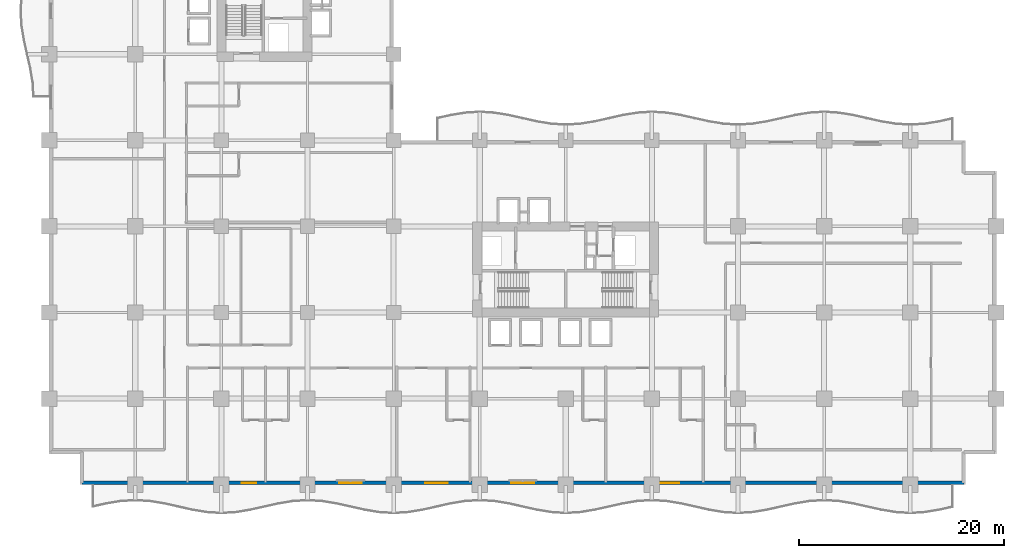
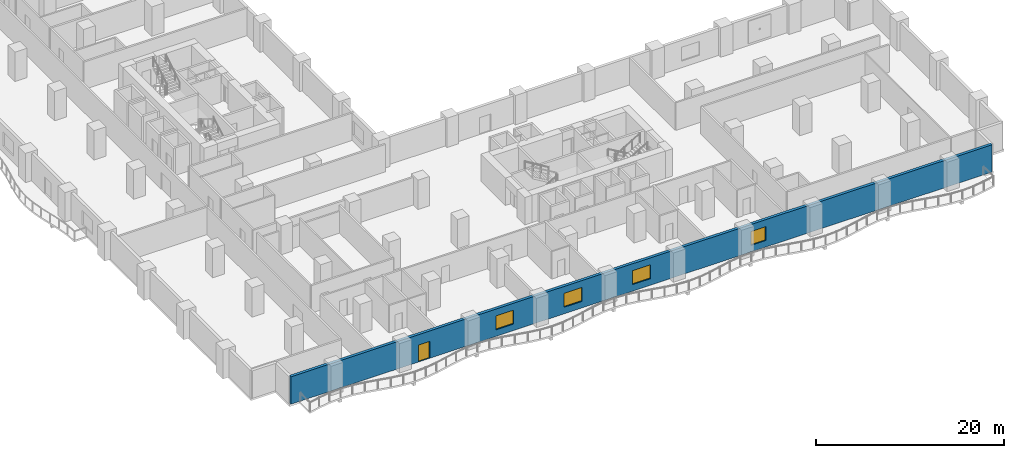
# One storey, part 8 of 22: 4 windows, 1 door, 1 wall, 5 openings.
"""IFC4 building model written with IfcOpenShell, lengths in metres."""

from ifc_helpers import new_model, si_unit, direction, frame, frame_2d, origin, place, context, subcontext, project, spatial, rectangle, extrude, material, layer, layer_set, type_object, element, fill, save


model = new_model("IFC4")

# Units and contexts
model_context = context("Model", 3, precision=1e-05, world=origin(), true_north=direction((0.0, 1.0)))
body_context = subcontext(model_context, "Body", "Model", "MODEL_VIEW")
ifc_project = project(units=[si_unit("LENGTHUNIT", "METRE"), si_unit("AREAUNIT", "SQUARE_METRE"), si_unit("VOLUMEUNIT", "CUBIC_METRE"), si_unit("PLANEANGLEUNIT", "RADIAN"), si_unit("MASSUNIT", "GRAM", prefix="KILO")], contexts=[model_context])

# Site, building, storey
site_placement = place(None, origin())
site = spatial("IfcSite", under=ifc_project, at=site_placement, CompositionType="ELEMENT")
building_placement = place(site_placement, origin())
building = spatial("IfcBuilding", under=site, at=building_placement, Name="Koriwani Terraces Tower", CompositionType="ELEMENT")
storey_placement = place(building_placement, frame((0.0, 0.0, 62.39990234375)))
storey = spatial("IfcBuildingStorey", under=building, at=storey_placement, Name="L14", CompositionType="ELEMENT", Elevation=62.39990234375)

# Wall, openings, door, windows
ifc_material_1 = material(Name="Concrete C50/60", Category="concrete")
ifc_layer = layer(ifc_material_1, 0.35009765625, Name="Concrete C50/60")
ifc_layer_set = layer_set([ifc_layer], Name="Concrete C50/60")
wall_type = type_object("IfcWallType", Name="WALL_EXT_BRUTALIST_350", PredefinedType="STANDARD", material=ifc_layer_set)
wall_placement = place(storey_placement, frame((89.22509765625, 0.175048828125, 0.0), z_axis=(0.0, 0.0, 1.0), x_axis=(-1.0, 0.0, 0.0)))
wall = element("IfcWall", 1, at=wall_placement, inside=storey, type_object=wall_type, Name="L14 Fair-Faced Brutalist Exterior Wall (S)", PredefinedType="STANDARD", context=body_context, shape_type="SweptSolid", body=[
    extrude(rectangle(XDim=86.050048828125, YDim=0.35009765625, at=frame_2d((43.02490234375, 0.0))), origin(), (0.0, 0.0, 1.0), 3.550048828125),
])
opening_1_placement = place(wall_placement, frame((69.02490234375, 0.0, 0.0)))
opening_1 = element("IfcOpeningElement", 2, at=opening_1_placement, cuts=wall, Name="Opening D-09", PredefinedType="OPENING", context=body_context, shape_type="SweptSolid", body=[
    extrude(rectangle(XDim=1.39990234375, YDim=2.199951171875, at=frame_2d((0.699951171875, 1.10009765625))), frame((0.0, 0.18505859375, 0.0), z_axis=(0.0, -1.0, 0.0), x_axis=(1.0, 0.0, 0.0)), (0.0, 0.0, 1.0), 0.3701171875),
])
opening_2_placement = place(wall_placement, frame((58.72509765625, 0.0, 0.85009765625)))
opening_2 = element("IfcOpeningElement", 3, at=opening_2_placement, cuts=wall, Name="Opening W-01", PredefinedType="OPENING", context=body_context, shape_type="SweptSolid", body=[
    extrude(rectangle(XDim=2.199951171875, YDim=1.800048828125, at=frame_2d((1.10009765625, 0.89990234375))), frame((0.0, 0.18505859375, 0.0), z_axis=(0.0, -1.0, 0.0), x_axis=(1.0, 0.0, 0.0)), (0.0, 0.0, 1.0), 0.3701171875),
])
opening_3_placement = place(wall_placement, frame((50.324951171875, 0.0, 0.85009765625)))
opening_3 = element("IfcOpeningElement", 4, at=opening_3_placement, cuts=wall, Name="Opening W-01", PredefinedType="OPENING", context=body_context, shape_type="SweptSolid", body=[
    extrude(rectangle(XDim=2.199951171875, YDim=1.800048828125, at=frame_2d((1.10009765625, 0.89990234375))), frame((0.0, 0.18505859375, 0.0), z_axis=(0.0, -1.0, 0.0), x_axis=(1.0, 0.0, 0.0)), (0.0, 0.0, 1.0), 0.3701171875),
])
opening_4_placement = place(wall_placement, frame((41.925048828125, 0.0, 0.85009765625)))
opening_4 = element("IfcOpeningElement", 5, at=opening_4_placement, cuts=wall, Name="Opening W-01", PredefinedType="OPENING", context=body_context, shape_type="SweptSolid", body=[
    extrude(rectangle(XDim=2.199951171875, YDim=1.800048828125, at=frame_2d((1.10009765625, 0.89990234375))), frame((0.0, 0.18505859375, 0.0), z_axis=(0.0, -1.0, 0.0), x_axis=(1.0, 0.0, 0.0)), (0.0, 0.0, 1.0), 0.3701171875),
])
opening_5_placement = place(wall_placement, frame((27.77490234375, 0.0, 0.85009765625)))
opening_5 = element("IfcOpeningElement", 6, at=opening_5_placement, cuts=wall, Name="Opening W-04", PredefinedType="OPENING", context=body_context, shape_type="SweptSolid", body=[
    extrude(rectangle(XDim=1.800048828125, YDim=1.800048828125, at=frame_2d((0.89990234375, 0.89990234375))), frame((0.0, 0.18505859375, 0.0), z_axis=(0.0, -1.0, 0.0), x_axis=(1.0, 0.0, 0.0)), (0.0, 0.0, 1.0), 0.3701171875),
])
ifc_material_2 = material(Name="Anodised Bronze Aluminium", Category="aluminium")
door_type = type_object("IfcDoorType", Name="DOOR_BALCONY_GLAZED_1400X2200", OperationType="NOTDEFINED", PredefinedType="DOOR", material=ifc_material_2)
door_placement = place(opening_1_placement, origin())
door = element("IfcDoor", 7, at=door_placement, inside=storey, type_object=door_type, Name="L14 South Balcony Glazed Door", OperationType="SINGLE_SWING_LEFT", OverallHeight=2.199951171875, OverallWidth=1.39990234375, PredefinedType="DOOR", context=body_context, shape_type="SweptSolid", body=[
    extrude(rectangle(XDim=1.39990234375, YDim=2.199951171875, at=frame_2d((0.699951171875, 1.10009765625))), frame((0.0, 0.02490234375, 0.0), z_axis=(0.0, -1.0, 0.0), x_axis=(1.0, 0.0, 0.0)), (0.0, 0.0, 1.0), 0.050048828125),
])
fill(opening_1, door)
ifc_material_3 = material(Name="Tempered Laminated Low-E Glass", Category="glass")
window_type_1 = type_object("IfcWindowType", Name="WIN_HOTEL_STD_2200X1800", PartitioningType="DOUBLE_PANEL_VERTICAL", PredefinedType="WINDOW", material=ifc_material_3)
window_1_placement = place(opening_2_placement, origin())
window_1 = element("IfcWindow", 8, at=window_1_placement, inside=storey, type_object=window_type_1, Name="L14 Exterior Window (S-9)", OverallHeight=1.800048828125, OverallWidth=2.199951171875, PartitioningType="SINGLE_PANEL", PredefinedType="WINDOW", context=body_context, shape_type="SweptSolid", body=[
    extrude(rectangle(XDim=2.199951171875, YDim=1.800048828125, at=frame_2d((1.10009765625, 0.89990234375))), frame((0.0, 0.030029296875, 0.0), z_axis=(0.0, -1.0, 0.0), x_axis=(1.0, 0.0, 0.0)), (0.0, 0.0, 1.0), 0.06005859375),
])
fill(opening_2, window_1)
window_2_placement = place(opening_3_placement, origin())
window_2 = element("IfcWindow", 9, at=window_2_placement, inside=storey, type_object=window_type_1, Name="L14 Exterior Window (S-12)", OverallHeight=1.800048828125, OverallWidth=2.199951171875, PartitioningType="SINGLE_PANEL", PredefinedType="WINDOW", context=body_context, shape_type="SweptSolid", body=[
    extrude(rectangle(XDim=2.199951171875, YDim=1.800048828125, at=frame_2d((1.10009765625, 0.89990234375))), frame((0.0, 0.030029296875, 0.0), z_axis=(0.0, -1.0, 0.0), x_axis=(1.0, 0.0, 0.0)), (0.0, 0.0, 1.0), 0.06005859375),
])
fill(opening_3, window_2)
window_3_placement = place(opening_4_placement, origin())
window_3 = element("IfcWindow", 10, at=window_3_placement, inside=storey, type_object=window_type_1, Name="L14 Exterior Window (S-15)", OverallHeight=1.800048828125, OverallWidth=2.199951171875, PartitioningType="SINGLE_PANEL", PredefinedType="WINDOW", context=body_context, shape_type="SweptSolid", body=[
    extrude(rectangle(XDim=2.199951171875, YDim=1.800048828125, at=frame_2d((1.10009765625, 0.89990234375))), frame((0.0, 0.030029296875, 0.0), z_axis=(0.0, -1.0, 0.0), x_axis=(1.0, 0.0, 0.0)), (0.0, 0.0, 1.0), 0.06005859375),
])
fill(opening_4, window_3)
window_type_2 = type_object("IfcWindowType", Name="WIN_RES_BED_1800X1800", PartitioningType="DOUBLE_PANEL_VERTICAL", PredefinedType="WINDOW", material=ifc_material_3)
window_4_placement = place(opening_5_placement, origin())
window_4 = element("IfcWindow", 11, at=window_4_placement, inside=storey, type_object=window_type_2, Name="L14 Exterior Window (S-R46)", OverallHeight=1.800048828125, OverallWidth=1.800048828125, PartitioningType="SINGLE_PANEL", PredefinedType="WINDOW", context=body_context, shape_type="SweptSolid", body=[
    extrude(rectangle(XDim=1.800048828125, YDim=1.800048828125, at=frame_2d((0.89990234375, 0.89990234375))), frame((0.0, 0.030029296875, 0.0), z_axis=(0.0, -1.0, 0.0), x_axis=(1.0, 0.0, 0.0)), (0.0, 0.0, 1.0), 0.06005859375),
])
fill(opening_5, window_4)

save(model, "model.ifc")
